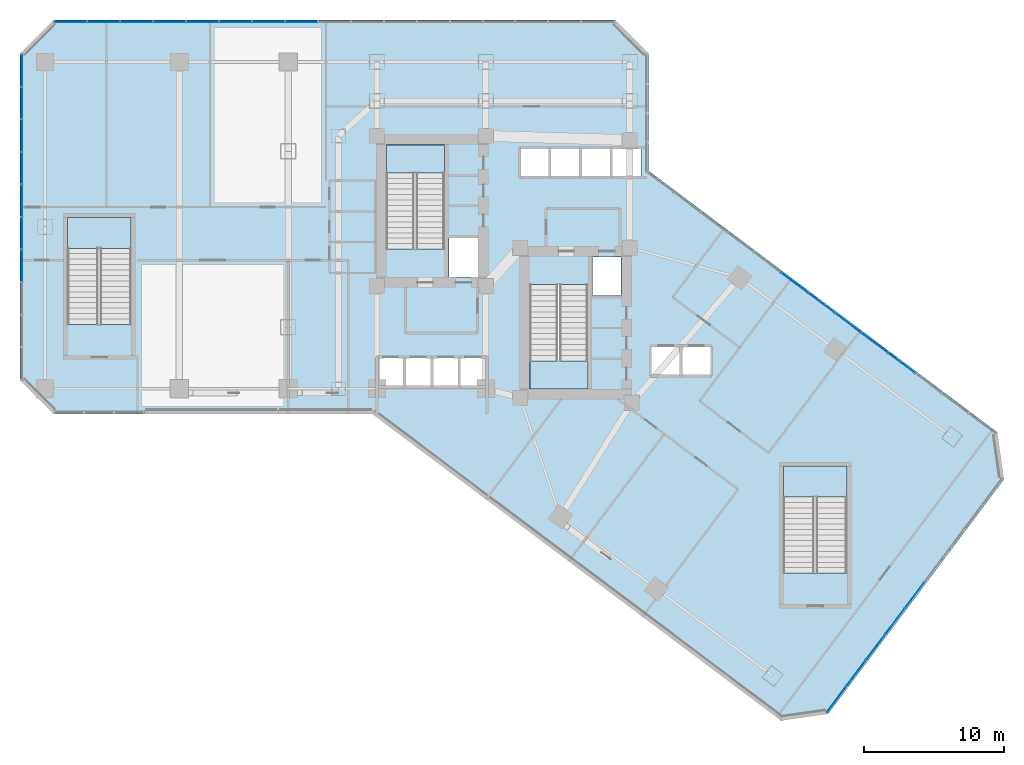
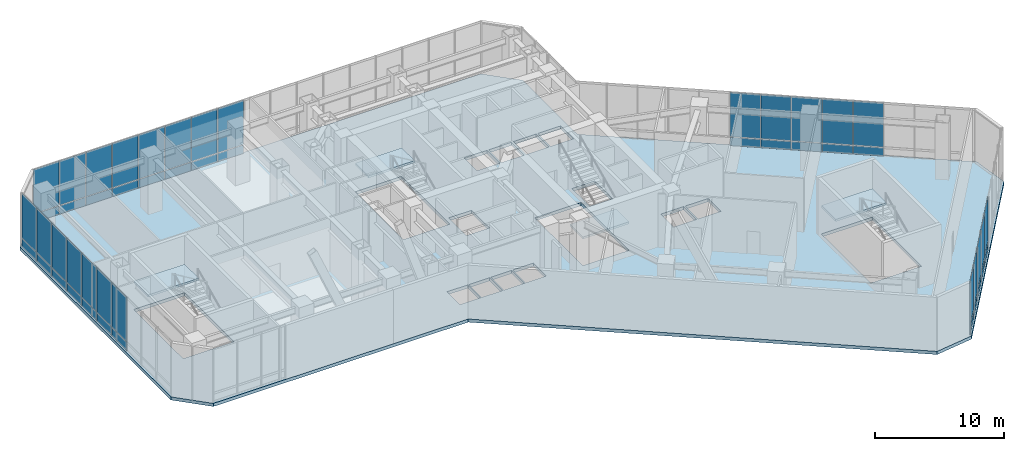
# One storey, part 25 of 35: 50 plates, 5 slabs, 8 elements without a shape of their own.
"""IFC4 building model written with IfcOpenShell, lengths in metres."""

from ifc_helpers import new_model, si_unit, direction, frame, origin, origin_2d, place, context, subcontext, project, spatial, polyline, rectangle, outline, extrude, material, layer, layer_set, type_object, element, aggregate, save


model = new_model("IFC4")

# Units and contexts
model_context = context("Model", 3, precision=1e-05, world=origin(), true_north=direction((0.0, 1.0)))
body_context = subcontext(model_context, "Body", "Model", "MODEL_VIEW")
ifc_project = project(units=[si_unit("LENGTHUNIT", "METRE"), si_unit("AREAUNIT", "SQUARE_METRE"), si_unit("VOLUMEUNIT", "CUBIC_METRE"), si_unit("PLANEANGLEUNIT", "RADIAN"), si_unit("MASSUNIT", "GRAM", prefix="KILO")], contexts=[model_context])

# Site, building, storey
site_placement = place(None, origin())
site = spatial("IfcSite", under=ifc_project, at=site_placement, CompositionType="ELEMENT")
building_placement = place(site_placement, origin())
building = spatial("IfcBuilding", under=site, at=building_placement, Name="Hatsunagi Terrace Concourse", CompositionType="ELEMENT")
storey_placement = place(building_placement, frame((0.0, 0.0, 10.800048828125)))
storey = spatial("IfcBuildingStorey", under=building, at=storey_placement, Name="L03", CompositionType="ELEMENT", Elevation=10.800048828125)

# Curtain wall, plates
ifc_material_1 = material(Name="Anodised Aluminium Alloy 6063-T5", Category="aluminium")
ifc_layer_1 = layer(ifc_material_1, 0.199951171875)
ifc_layer_set_1 = layer_set([ifc_layer_1], Name="PodiumStorefront_CW01")
curtain_wall_type = type_object("IfcCurtainWallType", Name="PodiumStorefront_CW01", PredefinedType="NOTDEFINED", material=ifc_layer_set_1)
curtain_wall_1_placement = place(storey_placement, origin())
curtain_wall_1 = element("IfcCurtainWall", 1, at=curtain_wall_1_placement, inside=storey, type_object=curtain_wall_type, Name="Unitised Curtain Wall CW-01 CW-L03-01", PredefinedType="NOTDEFINED")
ifc_material_2 = material(Name="Warm Terracotta Ceramic Spandrel Panel", Category="masonry")
ifc_layer_2 = layer(ifc_material_2, 0.031982421875)
ifc_layer_set_2 = layer_set([ifc_layer_2], Name="CurtainWallSpandrelPanel_32")
plate_type_1 = type_object("IfcPlateType", Name="CurtainWallSpandrelPanel_32", PredefinedType="SHEET", material=ifc_layer_set_2)
plate_1_placement = place(storey_placement, frame((55.424072265625, 32.806884765625, 0.030029296875), z_axis=(0.0, 0.0, 1.0), x_axis=(0.800007305671, -0.599990258982, 0.0)))
plate_1 = element("IfcPlate", 2, at=plate_1_placement, type_object=plate_type_1, Name="Terracotta Spandrel Panel SPN-01", PredefinedType="SHEET", context=body_context, shape_type="SweptSolid", body=[
    extrude(rectangle(XDim=2.345947265625, YDim=0.031982421875, at=origin_2d()), origin(), (0.0, 0.0, 1.0), 0.7900390625),
])
plate_2_placement = place(storey_placement, frame((57.344970703125, 31.365966796875, 0.030029296875), z_axis=(0.0, 0.0, 1.0), x_axis=(0.800007305671, -0.599990258982, 0.0)))
plate_2 = element("IfcPlate", 3, at=plate_2_placement, type_object=plate_type_1, Name="Terracotta Spandrel Panel SPN-01", PredefinedType="SHEET", context=body_context, shape_type="SweptSolid", body=[
    extrude(rectangle(XDim=2.345947265625, YDim=0.031982421875, at=origin_2d()), origin(), (0.0, 0.0, 1.0), 0.7900390625),
])
plate_3_placement = place(storey_placement, frame((59.26611328125, 29.926025390625, 0.030029296875), z_axis=(0.0, 0.0, 1.0), x_axis=(0.800007305671, -0.599990258982, 0.0)))
plate_3 = element("IfcPlate", 4, at=plate_3_placement, type_object=plate_type_1, Name="Terracotta Spandrel Panel SPN-01", PredefinedType="SHEET", context=body_context, shape_type="SweptSolid", body=[
    extrude(rectangle(XDim=2.345947265625, YDim=0.031982421875, at=origin_2d()), origin(), (0.0, 0.0, 1.0), 0.7900390625),
])
plate_4_placement = place(storey_placement, frame((61.18701171875, 28.485107421875, 0.030029296875), z_axis=(0.0, 0.0, 1.0), x_axis=(0.800007305671, -0.599990258982, 0.0)))
plate_4 = element("IfcPlate", 5, at=plate_4_placement, type_object=plate_type_1, Name="Terracotta Spandrel Panel SPN-01", PredefinedType="SHEET", context=body_context, shape_type="SweptSolid", body=[
    extrude(rectangle(XDim=2.345947265625, YDim=0.031982421875, at=origin_2d()), origin(), (0.0, 0.0, 1.0), 0.7900390625),
])
plate_5_placement = place(storey_placement, frame((63.10693359375, 27.044921875, 0.030029296875), z_axis=(0.0, 0.0, 1.0), x_axis=(0.800007305671, -0.599990258982, 0.0)))
plate_5 = element("IfcPlate", 6, at=plate_5_placement, type_object=plate_type_1, Name="Terracotta Spandrel Panel SPN-01", PredefinedType="SHEET", context=body_context, shape_type="SweptSolid", body=[
    extrude(rectangle(XDim=2.345947265625, YDim=0.031982421875, at=origin_2d()), origin(), (0.0, 0.0, 1.0), 0.7900390625),
])

curtain_wall_2_placement = place(storey_placement, origin())
curtain_wall_2 = element("IfcCurtainWall", 7, at=curtain_wall_2_placement, inside=storey, type_object=curtain_wall_type, Name="Unitised Curtain Wall CW-01 CW-L03-03", PredefinedType="NOTDEFINED")
plate_6_placement = place(storey_placement, frame((64.028076171875, 10.404052734375, 0.030029296875), z_axis=(0.0, 0.0, 1.0), x_axis=(-0.599969314634, -0.800023013105, 0.0)))
plate_6 = element("IfcPlate", 8, at=plate_6_placement, type_object=plate_type_1, Name="Terracotta Spandrel Panel SPN-01", PredefinedType="SHEET", context=body_context, shape_type="SweptSolid", body=[
    extrude(rectangle(XDim=2.264892578125, YDim=0.031982421875, at=origin_2d()), origin(), (0.0, 0.0, 1.0), 0.7900390625),
])
plate_7_placement = place(storey_placement, frame((62.635986328125, 8.548095703125, 0.030029296875), z_axis=(0.0, 0.0, 1.0), x_axis=(-0.599969314634, -0.800023013105, 0.0)))
plate_7 = element("IfcPlate", 9, at=plate_7_placement, type_object=plate_type_1, Name="Terracotta Spandrel Panel SPN-01", PredefinedType="SHEET", context=body_context, shape_type="SweptSolid", body=[
    extrude(rectangle(XDim=2.264892578125, YDim=0.031982421875, at=origin_2d()), origin(), (0.0, 0.0, 1.0), 0.7900390625),
])
plate_8_placement = place(storey_placement, frame((61.243896484375, 6.69091796875, 0.030029296875), z_axis=(0.0, 0.0, 1.0), x_axis=(-0.599969314634, -0.800023013105, 0.0)))
plate_8 = element("IfcPlate", 10, at=plate_8_placement, type_object=plate_type_1, Name="Terracotta Spandrel Panel SPN-01", PredefinedType="SHEET", context=body_context, shape_type="SweptSolid", body=[
    extrude(rectangle(XDim=2.264892578125, YDim=0.031982421875, at=origin_2d()), origin(), (0.0, 0.0, 1.0), 0.7900390625),
])
plate_9_placement = place(storey_placement, frame((59.85107421875, 4.8349609375, 0.030029296875), z_axis=(0.0, 0.0, 1.0), x_axis=(-0.599969314634, -0.800023013105, 0.0)))
plate_9 = element("IfcPlate", 11, at=plate_9_placement, type_object=plate_type_1, Name="Terracotta Spandrel Panel SPN-01", PredefinedType="SHEET", context=body_context, shape_type="SweptSolid", body=[
    extrude(rectangle(XDim=2.264892578125, YDim=0.031982421875, at=origin_2d()), origin(), (0.0, 0.0, 1.0), 0.7900390625),
])
plate_10_placement = place(storey_placement, frame((58.458984375, 2.97802734375, 0.030029296875), z_axis=(0.0, 0.0, 1.0), x_axis=(-0.599969314634, -0.800023013105, 0.0)))
plate_10 = element("IfcPlate", 12, at=plate_10_placement, type_object=plate_type_1, Name="Terracotta Spandrel Panel SPN-01", PredefinedType="SHEET", context=body_context, shape_type="SweptSolid", body=[
    extrude(rectangle(XDim=2.264892578125, YDim=0.031982421875, at=origin_2d()), origin(), (0.0, 0.0, 1.0), 0.7900390625),
])

curtain_wall_3_placement = place(storey_placement, origin())
curtain_wall_3 = element("IfcCurtainWall", 13, at=curtain_wall_3_placement, inside=storey, type_object=curtain_wall_type, Name="Unitised Curtain Wall CW-01 CW-L03-10", PredefinedType="NOTDEFINED")
plate_11_placement = place(storey_placement, frame((0.139892578125, 34.007080078125, 0.030029296875), z_axis=(0.0, 0.0, 1.0), x_axis=(0.0, 1.0, 0.0)))
plate_11 = element("IfcPlate", 14, at=plate_11_placement, type_object=plate_type_1, Name="Terracotta Spandrel Panel SPN-01", PredefinedType="SHEET", context=body_context, shape_type="SweptSolid", body=[
    extrude(rectangle(XDim=2.27294921875, YDim=0.031982421875, at=origin_2d()), origin(), (0.0, 0.0, 1.0), 0.7900390625),
])
plate_12_placement = place(storey_placement, frame((0.139892578125, 36.3359375, 0.030029296875), z_axis=(0.0, 0.0, 1.0), x_axis=(0.0, 1.0, 0.0)))
plate_12 = element("IfcPlate", 15, at=plate_12_placement, type_object=plate_type_1, Name="Terracotta Spandrel Panel SPN-01", PredefinedType="SHEET", context=body_context, shape_type="SweptSolid", body=[
    extrude(rectangle(XDim=2.27294921875, YDim=0.031982421875, at=origin_2d()), origin(), (0.0, 0.0, 1.0), 0.7900390625),
])
plate_13_placement = place(storey_placement, frame((0.139892578125, 38.6640625, 0.030029296875), z_axis=(0.0, 0.0, 1.0), x_axis=(0.0, 1.0, 0.0)))
plate_13 = element("IfcPlate", 16, at=plate_13_placement, type_object=plate_type_1, Name="Terracotta Spandrel Panel SPN-01", PredefinedType="SHEET", context=body_context, shape_type="SweptSolid", body=[
    extrude(rectangle(XDim=2.27294921875, YDim=0.031982421875, at=origin_2d()), origin(), (0.0, 0.0, 1.0), 0.7900390625),
])
plate_14_placement = place(storey_placement, frame((0.139892578125, 40.992919921875, 0.030029296875), z_axis=(0.0, 0.0, 1.0), x_axis=(0.0, 1.0, 0.0)))
plate_14 = element("IfcPlate", 17, at=plate_14_placement, type_object=plate_type_1, Name="Terracotta Spandrel Panel SPN-01", PredefinedType="SHEET", context=body_context, shape_type="SweptSolid", body=[
    extrude(rectangle(XDim=2.27294921875, YDim=0.031982421875, at=origin_2d()), origin(), (0.0, 0.0, 1.0), 0.7900390625),
])
plate_15_placement = place(storey_placement, frame((0.139892578125, 43.321044921875, 0.030029296875), z_axis=(0.0, 0.0, 1.0), x_axis=(0.0, 1.0, 0.0)))
plate_15 = element("IfcPlate", 18, at=plate_15_placement, type_object=plate_type_1, Name="Terracotta Spandrel Panel SPN-01", PredefinedType="SHEET", context=body_context, shape_type="SweptSolid", body=[
    extrude(rectangle(XDim=2.27294921875, YDim=0.031982421875, at=origin_2d()), origin(), (0.0, 0.0, 1.0), 0.7900390625),
])
plate_16_placement = place(storey_placement, frame((0.139892578125, 45.64892578125, 0.030029296875), z_axis=(0.0, 0.0, 1.0), x_axis=(0.0, 1.0, 0.0)))
plate_16 = element("IfcPlate", 19, at=plate_16_placement, type_object=plate_type_1, Name="Terracotta Spandrel Panel SPN-01", PredefinedType="SHEET", context=body_context, shape_type="SweptSolid", body=[
    extrude(rectangle(XDim=2.27294921875, YDim=0.031982421875, at=origin_2d()), origin(), (0.0, 0.0, 1.0), 0.7900390625),
])
plate_17_placement = place(storey_placement, frame((0.139892578125, 47.97802734375, 0.030029296875), z_axis=(0.0, 0.0, 1.0), x_axis=(0.0, 1.0, 0.0)))
plate_17 = element("IfcPlate", 20, at=plate_17_placement, type_object=plate_type_1, Name="Terracotta Spandrel Panel SPN-01", PredefinedType="SHEET", context=body_context, shape_type="SweptSolid", body=[
    extrude(rectangle(XDim=2.27294921875, YDim=0.031982421875, at=origin_2d()), origin(), (0.0, 0.0, 1.0), 0.7900390625),
])

curtain_wall_4_placement = place(storey_placement, origin())
curtain_wall_4 = element("IfcCurtainWall", 21, at=curtain_wall_4_placement, inside=storey, type_object=curtain_wall_type, Name="Unitised Curtain Wall CW-01 CW-L03-12", PredefinedType="NOTDEFINED")
plate_18_placement = place(storey_placement, frame((3.636962890625, 51.4599609375, 0.030029296875), z_axis=(0.0, 0.0, 1.0), x_axis=(1.0, 0.0, 0.0)))
plate_18 = element("IfcPlate", 22, at=plate_18_placement, type_object=plate_type_1, Name="Terracotta Spandrel Panel SPN-01", PredefinedType="SHEET", context=body_context, shape_type="SweptSolid", body=[
    extrude(rectangle(XDim=2.302978515625, YDim=0.031982421875, at=origin_2d()), origin(), (0.0, 0.0, 1.0), 0.7900390625),
])
plate_19_placement = place(storey_placement, frame((5.9951171875, 51.4599609375, 0.030029296875), z_axis=(0.0, 0.0, 1.0), x_axis=(1.0, 0.0, 0.0)))
plate_19 = element("IfcPlate", 23, at=plate_19_placement, type_object=plate_type_1, Name="Terracotta Spandrel Panel SPN-01", PredefinedType="SHEET", context=body_context, shape_type="SweptSolid", body=[
    extrude(rectangle(XDim=2.302978515625, YDim=0.031982421875, at=origin_2d()), origin(), (0.0, 0.0, 1.0), 0.7900390625),
])
plate_20_placement = place(storey_placement, frame((8.35302734375, 51.4599609375, 0.030029296875), z_axis=(0.0, 0.0, 1.0), x_axis=(1.0, 0.0, 0.0)))
plate_20 = element("IfcPlate", 24, at=plate_20_placement, type_object=plate_type_1, Name="Terracotta Spandrel Panel SPN-01", PredefinedType="SHEET", context=body_context, shape_type="SweptSolid", body=[
    extrude(rectangle(XDim=2.302978515625, YDim=0.031982421875, at=origin_2d()), origin(), (0.0, 0.0, 1.0), 0.7900390625),
])
plate_21_placement = place(storey_placement, frame((10.7109375, 51.4599609375, 0.030029296875), z_axis=(0.0, 0.0, 1.0), x_axis=(1.0, 0.0, 0.0)))
plate_21 = element("IfcPlate", 25, at=plate_21_placement, type_object=plate_type_1, Name="Terracotta Spandrel Panel SPN-01", PredefinedType="SHEET", context=body_context, shape_type="SweptSolid", body=[
    extrude(rectangle(XDim=2.302978515625, YDim=0.031982421875, at=origin_2d()), origin(), (0.0, 0.0, 1.0), 0.7900390625),
])
plate_22_placement = place(storey_placement, frame((13.068115234375, 51.4599609375, 0.030029296875), z_axis=(0.0, 0.0, 1.0), x_axis=(1.0, 0.0, 0.0)))
plate_22 = element("IfcPlate", 26, at=plate_22_placement, type_object=plate_type_1, Name="Terracotta Spandrel Panel SPN-01", PredefinedType="SHEET", context=body_context, shape_type="SweptSolid", body=[
    extrude(rectangle(XDim=2.302978515625, YDim=0.031982421875, at=origin_2d()), origin(), (0.0, 0.0, 1.0), 0.7900390625),
])
plate_23_placement = place(storey_placement, frame((15.426025390625, 51.4599609375, 0.030029296875), z_axis=(0.0, 0.0, 1.0), x_axis=(1.0, 0.0, 0.0)))
plate_23 = element("IfcPlate", 27, at=plate_23_placement, type_object=plate_type_1, Name="Terracotta Spandrel Panel SPN-01", PredefinedType="SHEET", context=body_context, shape_type="SweptSolid", body=[
    extrude(rectangle(XDim=2.302978515625, YDim=0.031982421875, at=origin_2d()), origin(), (0.0, 0.0, 1.0), 0.7900390625),
])
plate_24_placement = place(storey_placement, frame((17.783935546875, 51.4599609375, 0.030029296875), z_axis=(0.0, 0.0, 1.0), x_axis=(1.0, 0.0, 0.0)))
plate_24 = element("IfcPlate", 28, at=plate_24_placement, type_object=plate_type_1, Name="Terracotta Spandrel Panel SPN-01", PredefinedType="SHEET", context=body_context, shape_type="SweptSolid", body=[
    extrude(rectangle(XDim=2.302978515625, YDim=0.031982421875, at=origin_2d()), origin(), (0.0, 0.0, 1.0), 0.7900390625),
])
plate_25_placement = place(storey_placement, frame((20.14208984375, 51.4599609375, 0.030029296875), z_axis=(0.0, 0.0, 1.0), x_axis=(1.0, 0.0, 0.0)))
plate_25 = element("IfcPlate", 29, at=plate_25_placement, type_object=plate_type_1, Name="Terracotta Spandrel Panel SPN-01", PredefinedType="SHEET", context=body_context, shape_type="SweptSolid", body=[
    extrude(rectangle(XDim=2.302978515625, YDim=0.031982421875, at=origin_2d()), origin(), (0.0, 0.0, 1.0), 0.7900390625),
])

# Plate
ifc_material_3 = material(Name="Low-E Double Insulating Glass 28mm", Category="glass")
ifc_layer_3 = layer(ifc_material_3, 0.028076171875)
ifc_layer_set_3 = layer_set([ifc_layer_3], Name="CurtainWallVisionGlass_28")
plate_type_2 = type_object("IfcPlateType", Name="CurtainWallVisionGlass_28", PredefinedType="CURTAIN_PANEL", material=ifc_layer_set_3)
plate_26_placement = place(storey_placement, frame((55.424072265625, 32.806884765625, 0.8798828125), z_axis=(0.0, 0.0, 1.0), x_axis=(0.800007305671, -0.599990258982, 0.0)))
plate_26 = element("IfcPlate", 30, at=plate_26_placement, type_object=plate_type_2, Name="Low-E Vision Glass Panel GLZ-01", PredefinedType="CURTAIN_PANEL", context=body_context, shape_type="SweptSolid", body=[
    extrude(rectangle(XDim=2.345947265625, YDim=0.028076171875, at=origin_2d()), origin(), (0.0, 0.0, 1.0), 4.18994140625),
])

plate_27_placement = place(storey_placement, frame((57.344970703125, 31.365966796875, 0.8798828125), z_axis=(0.0, 0.0, 1.0), x_axis=(0.800007305671, -0.599990258982, 0.0)))
plate_27 = element("IfcPlate", 31, at=plate_27_placement, type_object=plate_type_2, Name="Low-E Vision Glass Panel GLZ-01", PredefinedType="CURTAIN_PANEL", context=body_context, shape_type="SweptSolid", body=[
    extrude(rectangle(XDim=2.345947265625, YDim=0.028076171875, at=origin_2d()), origin(), (0.0, 0.0, 1.0), 4.18994140625),
])

plate_28_placement = place(storey_placement, frame((59.26611328125, 29.926025390625, 0.8798828125), z_axis=(0.0, 0.0, 1.0), x_axis=(0.800007305671, -0.599990258982, 0.0)))
plate_28 = element("IfcPlate", 32, at=plate_28_placement, type_object=plate_type_2, Name="Low-E Vision Glass Panel GLZ-01", PredefinedType="CURTAIN_PANEL", context=body_context, shape_type="SweptSolid", body=[
    extrude(rectangle(XDim=2.345947265625, YDim=0.028076171875, at=origin_2d()), origin(), (0.0, 0.0, 1.0), 4.18994140625),
])

plate_29_placement = place(storey_placement, frame((61.18701171875, 28.485107421875, 0.8798828125), z_axis=(0.0, 0.0, 1.0), x_axis=(0.800007305671, -0.599990258982, 0.0)))
plate_29 = element("IfcPlate", 33, at=plate_29_placement, type_object=plate_type_2, Name="Low-E Vision Glass Panel GLZ-01", PredefinedType="CURTAIN_PANEL", context=body_context, shape_type="SweptSolid", body=[
    extrude(rectangle(XDim=2.345947265625, YDim=0.028076171875, at=origin_2d()), origin(), (0.0, 0.0, 1.0), 4.18994140625),
])

plate_30_placement = place(storey_placement, frame((63.10693359375, 27.044921875, 0.8798828125), z_axis=(0.0, 0.0, 1.0), x_axis=(0.800007305671, -0.599990258982, 0.0)))
plate_30 = element("IfcPlate", 34, at=plate_30_placement, type_object=plate_type_2, Name="Low-E Vision Glass Panel GLZ-01", PredefinedType="CURTAIN_PANEL", context=body_context, shape_type="SweptSolid", body=[
    extrude(rectangle(XDim=2.345947265625, YDim=0.028076171875, at=origin_2d()), origin(), (0.0, 0.0, 1.0), 4.18994140625),
])

aggregate(curtain_wall_1, [plate_1, plate_26, plate_2, plate_27, plate_3, plate_28, plate_4, plate_29, plate_5, plate_30])

plate_31_placement = place(storey_placement, frame((64.028076171875, 10.404052734375, 0.8798828125), z_axis=(0.0, 0.0, 1.0), x_axis=(-0.599969314634, -0.800023013105, 0.0)))
plate_31 = element("IfcPlate", 35, at=plate_31_placement, type_object=plate_type_2, Name="Low-E Vision Glass Panel GLZ-01", PredefinedType="CURTAIN_PANEL", context=body_context, shape_type="SweptSolid", body=[
    extrude(rectangle(XDim=2.264892578125, YDim=0.028076171875, at=origin_2d()), origin(), (0.0, 0.0, 1.0), 4.18994140625),
])

plate_32_placement = place(storey_placement, frame((62.635986328125, 8.548095703125, 0.8798828125), z_axis=(0.0, 0.0, 1.0), x_axis=(-0.599969314634, -0.800023013105, 0.0)))
plate_32 = element("IfcPlate", 36, at=plate_32_placement, type_object=plate_type_2, Name="Low-E Vision Glass Panel GLZ-01", PredefinedType="CURTAIN_PANEL", context=body_context, shape_type="SweptSolid", body=[
    extrude(rectangle(XDim=2.264892578125, YDim=0.028076171875, at=origin_2d()), origin(), (0.0, 0.0, 1.0), 4.18994140625),
])

plate_33_placement = place(storey_placement, frame((61.243896484375, 6.69091796875, 0.8798828125), z_axis=(0.0, 0.0, 1.0), x_axis=(-0.599969314634, -0.800023013105, 0.0)))
plate_33 = element("IfcPlate", 37, at=plate_33_placement, type_object=plate_type_2, Name="Low-E Vision Glass Panel GLZ-01", PredefinedType="CURTAIN_PANEL", context=body_context, shape_type="SweptSolid", body=[
    extrude(rectangle(XDim=2.264892578125, YDim=0.028076171875, at=origin_2d()), origin(), (0.0, 0.0, 1.0), 4.18994140625),
])

plate_34_placement = place(storey_placement, frame((59.85107421875, 4.8349609375, 0.8798828125), z_axis=(0.0, 0.0, 1.0), x_axis=(-0.599969314634, -0.800023013105, 0.0)))
plate_34 = element("IfcPlate", 38, at=plate_34_placement, type_object=plate_type_2, Name="Low-E Vision Glass Panel GLZ-01", PredefinedType="CURTAIN_PANEL", context=body_context, shape_type="SweptSolid", body=[
    extrude(rectangle(XDim=2.264892578125, YDim=0.028076171875, at=origin_2d()), origin(), (0.0, 0.0, 1.0), 4.18994140625),
])

plate_35_placement = place(storey_placement, frame((58.458984375, 2.97802734375, 0.8798828125), z_axis=(0.0, 0.0, 1.0), x_axis=(-0.599969314634, -0.800023013105, 0.0)))
plate_35 = element("IfcPlate", 39, at=plate_35_placement, type_object=plate_type_2, Name="Low-E Vision Glass Panel GLZ-01", PredefinedType="CURTAIN_PANEL", context=body_context, shape_type="SweptSolid", body=[
    extrude(rectangle(XDim=2.264892578125, YDim=0.028076171875, at=origin_2d()), origin(), (0.0, 0.0, 1.0), 4.18994140625),
])

aggregate(curtain_wall_2, [plate_6, plate_31, plate_7, plate_32, plate_8, plate_33, plate_9, plate_34, plate_10, plate_35])

plate_36_placement = place(storey_placement, frame((0.139892578125, 34.007080078125, 0.8798828125), z_axis=(0.0, 0.0, 1.0), x_axis=(0.0, 1.0, 0.0)))
plate_36 = element("IfcPlate", 40, at=plate_36_placement, type_object=plate_type_2, Name="Low-E Vision Glass Panel GLZ-01", PredefinedType="CURTAIN_PANEL", context=body_context, shape_type="SweptSolid", body=[
    extrude(rectangle(XDim=2.27294921875, YDim=0.028076171875, at=origin_2d()), origin(), (0.0, 0.0, 1.0), 4.18994140625),
])

plate_37_placement = place(storey_placement, frame((0.139892578125, 36.3359375, 0.8798828125), z_axis=(0.0, 0.0, 1.0), x_axis=(0.0, 1.0, 0.0)))
plate_37 = element("IfcPlate", 41, at=plate_37_placement, type_object=plate_type_2, Name="Low-E Vision Glass Panel GLZ-01", PredefinedType="CURTAIN_PANEL", context=body_context, shape_type="SweptSolid", body=[
    extrude(rectangle(XDim=2.27294921875, YDim=0.028076171875, at=origin_2d()), origin(), (0.0, 0.0, 1.0), 4.18994140625),
])

plate_38_placement = place(storey_placement, frame((0.139892578125, 38.6640625, 0.8798828125), z_axis=(0.0, 0.0, 1.0), x_axis=(0.0, 1.0, 0.0)))
plate_38 = element("IfcPlate", 42, at=plate_38_placement, type_object=plate_type_2, Name="Low-E Vision Glass Panel GLZ-01", PredefinedType="CURTAIN_PANEL", context=body_context, shape_type="SweptSolid", body=[
    extrude(rectangle(XDim=2.27294921875, YDim=0.028076171875, at=origin_2d()), origin(), (0.0, 0.0, 1.0), 4.18994140625),
])

plate_39_placement = place(storey_placement, frame((0.139892578125, 40.992919921875, 0.8798828125), z_axis=(0.0, 0.0, 1.0), x_axis=(0.0, 1.0, 0.0)))
plate_39 = element("IfcPlate", 43, at=plate_39_placement, type_object=plate_type_2, Name="Low-E Vision Glass Panel GLZ-01", PredefinedType="CURTAIN_PANEL", context=body_context, shape_type="SweptSolid", body=[
    extrude(rectangle(XDim=2.27294921875, YDim=0.028076171875, at=origin_2d()), origin(), (0.0, 0.0, 1.0), 4.18994140625),
])

plate_40_placement = place(storey_placement, frame((0.139892578125, 43.321044921875, 0.8798828125), z_axis=(0.0, 0.0, 1.0), x_axis=(0.0, 1.0, 0.0)))
plate_40 = element("IfcPlate", 44, at=plate_40_placement, type_object=plate_type_2, Name="Low-E Vision Glass Panel GLZ-01", PredefinedType="CURTAIN_PANEL", context=body_context, shape_type="SweptSolid", body=[
    extrude(rectangle(XDim=2.27294921875, YDim=0.028076171875, at=origin_2d()), origin(), (0.0, 0.0, 1.0), 4.18994140625),
])

plate_41_placement = place(storey_placement, frame((0.139892578125, 45.64892578125, 0.8798828125), z_axis=(0.0, 0.0, 1.0), x_axis=(0.0, 1.0, 0.0)))
plate_41 = element("IfcPlate", 45, at=plate_41_placement, type_object=plate_type_2, Name="Low-E Vision Glass Panel GLZ-01", PredefinedType="CURTAIN_PANEL", context=body_context, shape_type="SweptSolid", body=[
    extrude(rectangle(XDim=2.27294921875, YDim=0.028076171875, at=origin_2d()), origin(), (0.0, 0.0, 1.0), 4.18994140625),
])

plate_42_placement = place(storey_placement, frame((0.139892578125, 47.97802734375, 0.8798828125), z_axis=(0.0, 0.0, 1.0), x_axis=(0.0, 1.0, 0.0)))
plate_42 = element("IfcPlate", 46, at=plate_42_placement, type_object=plate_type_2, Name="Low-E Vision Glass Panel GLZ-01", PredefinedType="CURTAIN_PANEL", context=body_context, shape_type="SweptSolid", body=[
    extrude(rectangle(XDim=2.27294921875, YDim=0.028076171875, at=origin_2d()), origin(), (0.0, 0.0, 1.0), 4.18994140625),
])

aggregate(curtain_wall_3, [plate_11, plate_36, plate_12, plate_37, plate_13, plate_38, plate_14, plate_39, plate_15, plate_40, plate_16, plate_41, plate_17, plate_42])

plate_43_placement = place(storey_placement, frame((3.636962890625, 51.4599609375, 0.8798828125), z_axis=(0.0, 0.0, 1.0), x_axis=(1.0, 0.0, 0.0)))
plate_43 = element("IfcPlate", 47, at=plate_43_placement, type_object=plate_type_2, Name="Low-E Vision Glass Panel GLZ-01", PredefinedType="CURTAIN_PANEL", context=body_context, shape_type="SweptSolid", body=[
    extrude(rectangle(XDim=2.302978515625, YDim=0.028076171875, at=origin_2d()), origin(), (0.0, 0.0, 1.0), 4.18994140625),
])

plate_44_placement = place(storey_placement, frame((5.9951171875, 51.4599609375, 0.8798828125), z_axis=(0.0, 0.0, 1.0), x_axis=(1.0, 0.0, 0.0)))
plate_44 = element("IfcPlate", 48, at=plate_44_placement, type_object=plate_type_2, Name="Low-E Vision Glass Panel GLZ-01", PredefinedType="CURTAIN_PANEL", context=body_context, shape_type="SweptSolid", body=[
    extrude(rectangle(XDim=2.302978515625, YDim=0.028076171875, at=origin_2d()), origin(), (0.0, 0.0, 1.0), 4.18994140625),
])

plate_45_placement = place(storey_placement, frame((8.35302734375, 51.4599609375, 0.8798828125), z_axis=(0.0, 0.0, 1.0), x_axis=(1.0, 0.0, 0.0)))
plate_45 = element("IfcPlate", 49, at=plate_45_placement, type_object=plate_type_2, Name="Low-E Vision Glass Panel GLZ-01", PredefinedType="CURTAIN_PANEL", context=body_context, shape_type="SweptSolid", body=[
    extrude(rectangle(XDim=2.302978515625, YDim=0.028076171875, at=origin_2d()), origin(), (0.0, 0.0, 1.0), 4.18994140625),
])

plate_46_placement = place(storey_placement, frame((10.7109375, 51.4599609375, 0.8798828125), z_axis=(0.0, 0.0, 1.0), x_axis=(1.0, 0.0, 0.0)))
plate_46 = element("IfcPlate", 50, at=plate_46_placement, type_object=plate_type_2, Name="Low-E Vision Glass Panel GLZ-01", PredefinedType="CURTAIN_PANEL", context=body_context, shape_type="SweptSolid", body=[
    extrude(rectangle(XDim=2.302978515625, YDim=0.028076171875, at=origin_2d()), origin(), (0.0, 0.0, 1.0), 4.18994140625),
])

plate_47_placement = place(storey_placement, frame((13.068115234375, 51.4599609375, 0.8798828125), z_axis=(0.0, 0.0, 1.0), x_axis=(1.0, 0.0, 0.0)))
plate_47 = element("IfcPlate", 51, at=plate_47_placement, type_object=plate_type_2, Name="Low-E Vision Glass Panel GLZ-01", PredefinedType="CURTAIN_PANEL", context=body_context, shape_type="SweptSolid", body=[
    extrude(rectangle(XDim=2.302978515625, YDim=0.028076171875, at=origin_2d()), origin(), (0.0, 0.0, 1.0), 4.18994140625),
])

plate_48_placement = place(storey_placement, frame((15.426025390625, 51.4599609375, 0.8798828125), z_axis=(0.0, 0.0, 1.0), x_axis=(1.0, 0.0, 0.0)))
plate_48 = element("IfcPlate", 52, at=plate_48_placement, type_object=plate_type_2, Name="Low-E Vision Glass Panel GLZ-01", PredefinedType="CURTAIN_PANEL", context=body_context, shape_type="SweptSolid", body=[
    extrude(rectangle(XDim=2.302978515625, YDim=0.028076171875, at=origin_2d()), origin(), (0.0, 0.0, 1.0), 4.18994140625),
])

plate_49_placement = place(storey_placement, frame((17.783935546875, 51.4599609375, 0.8798828125), z_axis=(0.0, 0.0, 1.0), x_axis=(1.0, 0.0, 0.0)))
plate_49 = element("IfcPlate", 53, at=plate_49_placement, type_object=plate_type_2, Name="Low-E Vision Glass Panel GLZ-01", PredefinedType="CURTAIN_PANEL", context=body_context, shape_type="SweptSolid", body=[
    extrude(rectangle(XDim=2.302978515625, YDim=0.028076171875, at=origin_2d()), origin(), (0.0, 0.0, 1.0), 4.18994140625),
])

plate_50_placement = place(storey_placement, frame((20.14208984375, 51.4599609375, 0.8798828125), z_axis=(0.0, 0.0, 1.0), x_axis=(1.0, 0.0, 0.0)))
plate_50 = element("IfcPlate", 54, at=plate_50_placement, type_object=plate_type_2, Name="Low-E Vision Glass Panel GLZ-01", PredefinedType="CURTAIN_PANEL", context=body_context, shape_type="SweptSolid", body=[
    extrude(rectangle(XDim=2.302978515625, YDim=0.028076171875, at=origin_2d()), origin(), (0.0, 0.0, 1.0), 4.18994140625),
])

aggregate(curtain_wall_4, [plate_18, plate_43, plate_19, plate_44, plate_20, plate_45, plate_21, plate_46, plate_22, plate_47, plate_23, plate_48, plate_24, plate_49, plate_25, plate_50])

# Stair, slab
ifc_material_4 = material(Name="Concrete Fc42", Category="concrete")
stair_type_1 = type_object("IfcStairType", Name="DoglegExitStair_Podium2200_30R_180", PredefinedType="HALF_TURN_STAIR", material=ifc_material_4)
stair_1_placement = place(storey_placement, origin())
stair_1 = element("IfcStair", 55, at=stair_1_placement, inside=storey, type_object=stair_type_1, Name="L03 West Podium Convention Exit Stair ST-P1", PredefinedType="HALF_TURN_STAIR")
ifc_material_5 = material(Name="Concrete Fc42", Category="concrete")
ifc_layer_4 = layer(ifc_material_5, 0.199951171875)
ifc_layer_set_4 = layer_set([ifc_layer_4], Name="DoglegStairLanding_Podium2200")
slab_type_1 = type_object("IfcSlabType", Name="DoglegStairLanding_Podium2200", PredefinedType="LANDING", material=ifc_layer_set_4)
slab_1_placement = place(storey_placement, frame((0.0, 0.0, 2.5)))
slab_1 = element("IfcSlab", 56, at=slab_1_placement, type_object=slab_type_1, Name="ST-P1 landing 1", PredefinedType="LANDING", context=body_context, shape_type="SweptSolid", body=[
    extrude(outline(polyline([(7.949951171875, 35.260009765625), (7.949951171875, 37.4599609375), (3.39990234375, 37.4599609375), (3.39990234375, 35.260009765625), (7.949951171875, 35.260009765625)])), origin(), (0.0, 0.0, 1.0), 0.199951171875),
])
aggregate(stair_1, [slab_1])

stair_2_placement = place(storey_placement, origin())
stair_2 = element("IfcStair", 57, at=stair_2_placement, inside=storey, type_object=stair_type_1, Name="L03 Southeast Podium Ballroom Exit Stair ST-P2", PredefinedType="HALF_TURN_STAIR")
slab_2_placement = place(storey_placement, frame((0.0, 0.0, 2.5)))
slab_2 = element("IfcSlab", 58, at=slab_2_placement, type_object=slab_type_1, Name="ST-P2 landing 1", PredefinedType="LANDING", context=body_context, shape_type="SweptSolid", body=[
    extrude(outline(polyline([(59.199951171875, 17.4599609375), (59.199951171875, 19.659912109375), (54.64990234375, 19.659912109375), (54.64990234375, 17.4599609375), (59.199951171875, 17.4599609375)])), origin(), (0.0, 0.0, 1.0), 0.199951171875),
])
aggregate(stair_2, [slab_2])

ifc_material_6 = material(Name="Concrete Fc42", Category="concrete")
stair_type_2 = type_object("IfcStairType", Name="DoglegExitStair_Tower2000_30R_180", PredefinedType="HALF_TURN_STAIR", material=ifc_material_6)
stair_3_placement = place(storey_placement, origin())
stair_3 = element("IfcStair", 59, at=stair_3_placement, inside=storey, type_object=stair_type_2, Name="L03 Core A Protected Exit Stair ST-A", PredefinedType="HALF_TURN_STAIR")
ifc_material_7 = material(Name="Concrete Fc42", Category="concrete")
ifc_layer_5 = layer(ifc_material_7, 0.199951171875)
ifc_layer_set_5 = layer_set([ifc_layer_5], Name="DoglegStairLanding_Tower2000")
slab_type_2 = type_object("IfcSlabType", Name="DoglegStairLanding_Tower2000", PredefinedType="LANDING", material=ifc_layer_set_5)
slab_3_placement = place(storey_placement, frame((0.0, 0.0, 2.5)))
slab_3 = element("IfcSlab", 60, at=slab_3_placement, type_object=slab_type_2, Name="ST-A landing 1", PredefinedType="LANDING", context=body_context, shape_type="SweptSolid", body=[
    extrude(outline(polyline([(30.3798828125, 40.659912109375), (30.3798828125, 42.659912109375), (26.22998046875, 42.659912109375), (26.22998046875, 40.659912109375), (30.3798828125, 40.659912109375)])), origin(), (0.0, 0.0, 1.0), 0.199951171875),
])
aggregate(stair_3, [slab_3])

stair_4_placement = place(storey_placement, origin())
stair_4 = element("IfcStair", 61, at=stair_4_placement, inside=storey, type_object=stair_type_2, Name="L03 Core B Protected Exit Stair ST-B", PredefinedType="HALF_TURN_STAIR")
slab_4_placement = place(storey_placement, frame((0.0, 0.0, 2.5)))
slab_4 = element("IfcSlab", 62, at=slab_4_placement, type_object=slab_type_2, Name="ST-B landing 1", PredefinedType="LANDING", context=body_context, shape_type="SweptSolid", body=[
    extrude(outline(polyline([(36.5, 27.199951171875), (36.5, 25.199951171875), (40.64990234375, 25.199951171875), (40.64990234375, 27.199951171875), (36.5, 27.199951171875)])), origin(), (0.0, 0.0, 1.0), 0.199951171875),
])
aggregate(stair_4, [slab_4])

# Slab
ifc_material_8 = material(Name="Concrete Fc42", Category="concrete")
ifc_layer_6 = layer(ifc_material_8, 0.300048828125)
ifc_layer_set_6 = layer_set([ifc_layer_6], Name="PodiumTransferSlab_Fc42_300")
slab_type_3 = type_object("IfcSlabType", Name="PodiumTransferSlab_Fc42_300", PredefinedType="FLOOR", material=ifc_layer_set_6)
slab_5_placement = place(storey_placement, frame((0.0, 0.0, -0.300048828125)))
element("IfcSlab", 63, at=slab_5_placement, inside=storey, type_object=slab_type_3, Name="Floor Slab SL-300 L03", PredefinedType="FLOOR", context=body_context, shape_type="SweptSolid", body=[
    extrude(outline(polyline([(45.0, 40.800048828125), (45.0, 49.199951171875), (42.60009765625, 51.60009765625), (2.39990234375, 51.60009765625), (0.0, 49.199951171875), (0.0, 25.800048828125), (2.39990234375, 23.39990234375), (25.199951171875, 23.39990234375), (54.47998046875, 1.43994140625), (57.840087890625, 1.919921875), (70.43994140625, 18.719970703125), (69.9599609375, 22.080078125), (45.0, 40.800048828125)]), holes=[polyline([(26.22998046875, 35.205078125), (30.3798828125, 35.205078125), (30.3798828125, 42.659912109375), (26.22998046875, 42.659912109375), (26.22998046875, 35.205078125)]), polyline([(36.5, 25.199951171875), (40.64990234375, 25.199951171875), (40.64990234375, 32.655029296875), (36.5, 32.655029296875), (36.5, 25.199951171875)]), polyline([(3.39990234375, 29.804931640625), (7.949951171875, 29.804931640625), (7.949951171875, 37.4599609375), (3.39990234375, 37.4599609375), (3.39990234375, 29.804931640625)]), polyline([(54.64990234375, 12.0048828125), (59.199951171875, 12.0048828125), (59.199951171875, 19.659912109375), (54.64990234375, 19.659912109375), (54.64990234375, 12.0048828125)]), polyline([(30.719970703125, 33.219970703125), (32.780029296875, 33.219970703125), (32.780029296875, 35.97998046875), (30.719970703125, 35.97998046875), (30.719970703125, 33.219970703125)]), polyline([(40.97998046875, 31.8798828125), (43.02001953125, 31.8798828125), (43.02001953125, 34.639892578125), (40.97998046875, 34.639892578125), (40.97998046875, 31.8798828125)]), polyline([(25.6201171875, 25.39990234375), (27.47998046875, 25.39990234375), (27.47998046875, 27.39990234375), (25.6201171875, 27.39990234375), (25.6201171875, 25.39990234375)]), polyline([(27.580078125, 25.39990234375), (29.43994140625, 25.39990234375), (29.43994140625, 27.39990234375), (27.580078125, 27.39990234375), (27.580078125, 25.39990234375)]), polyline([(29.5400390625, 25.39990234375), (31.39990234375, 25.39990234375), (31.39990234375, 27.39990234375), (29.5400390625, 27.39990234375), (29.5400390625, 25.39990234375)]), polyline([(31.5, 25.39990234375), (33.360107421875, 25.39990234375), (33.360107421875, 27.39990234375), (31.5, 27.39990234375), (31.5, 25.39990234375)]), polyline([(35.800048828125, 40.39990234375), (37.85009765625, 40.39990234375), (37.85009765625, 42.39990234375), (35.800048828125, 42.39990234375), (35.800048828125, 40.39990234375)]), polyline([(38.0, 40.39990234375), (40.050048828125, 40.39990234375), (40.050048828125, 42.39990234375), (38.0, 42.39990234375), (38.0, 40.39990234375)]), polyline([(40.199951171875, 40.39990234375), (42.25, 40.39990234375), (42.25, 42.39990234375), (40.199951171875, 42.39990234375), (40.199951171875, 40.39990234375)]), polyline([(42.39990234375, 40.39990234375), (44.449951171875, 40.39990234375), (44.449951171875, 42.39990234375), (42.39990234375, 42.39990234375), (42.39990234375, 40.39990234375)]), polyline([(45.199951171875, 26.199951171875), (47.25, 26.199951171875), (47.25, 28.199951171875), (45.199951171875, 28.199951171875), (45.199951171875, 26.199951171875)]), polyline([(47.39990234375, 26.199951171875), (49.449951171875, 26.199951171875), (49.449951171875, 28.199951171875), (47.39990234375, 28.199951171875), (47.39990234375, 26.199951171875)])]), origin(), (0.0, 0.0, 1.0), 0.300048828125),
])

save(model, "model.ifc")
